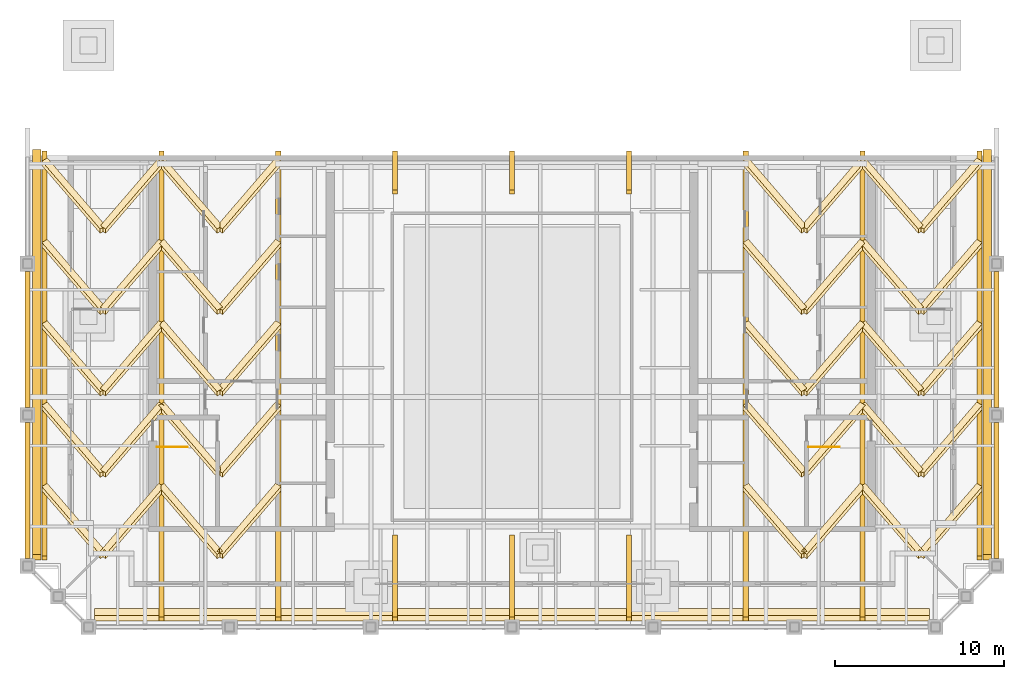
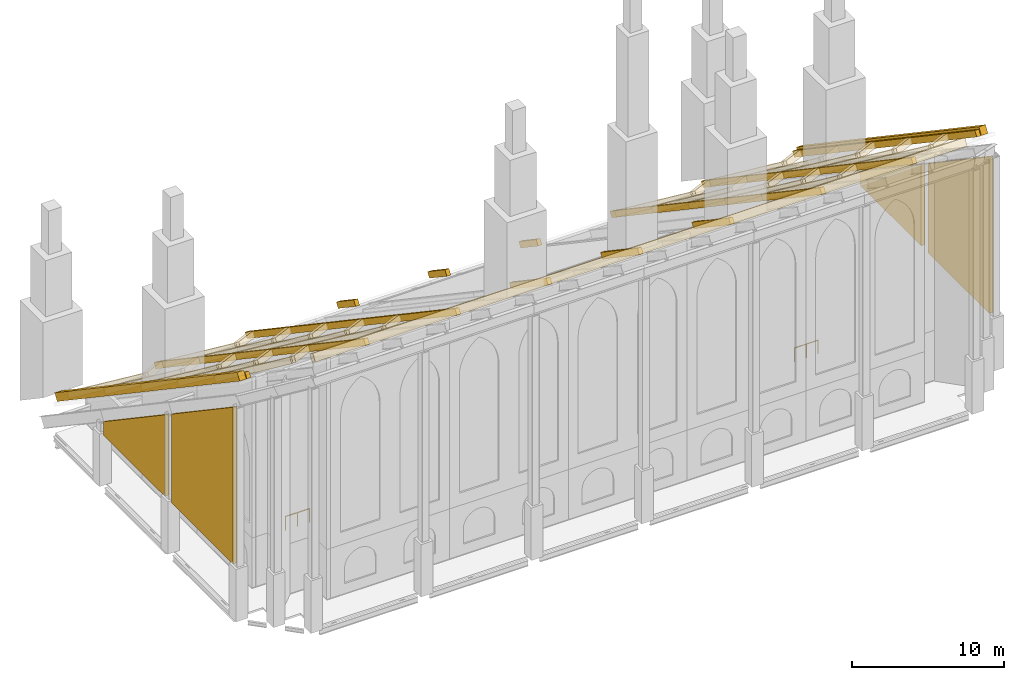
# One storey, part 9 of 9: 59 coverings, 2 railings.
"""IFC4 building model written with IfcOpenShell, lengths in metres."""

from ifc_helpers import new_model, si_unit, direction, frame, origin, origin_2d, place, context, subcontext, project, spatial, polyline, rectangle, circle, outline, extrude, material, layer, layer_set, material_profile, profile_set, type_object, element, save


model = new_model("IFC4")

# Units and contexts
model_context = context("Model", 3, precision=1e-05, world=origin(), true_north=direction((0.0, 1.0)))
body_context = subcontext(model_context, "Body", "Model", "MODEL_VIEW")
ifc_project = project(units=[si_unit("LENGTHUNIT", "METRE"), si_unit("AREAUNIT", "SQUARE_METRE"), si_unit("VOLUMEUNIT", "CUBIC_METRE"), si_unit("PLANEANGLEUNIT", "RADIAN"), si_unit("MASSUNIT", "GRAM", prefix="KILO")], contexts=[model_context])

# Site, building, storey
site_placement = place(None, origin())
site = spatial("IfcSite", under=ifc_project, at=site_placement, CompositionType="ELEMENT")
building_placement = place(site_placement, origin())
building = spatial("IfcBuilding", under=site, at=building_placement, Name="Ogive Exchange Tower", CompositionType="ELEMENT")
storey_placement = place(building_placement, frame((0.0, 0.0, 394.199951171875)))
storey = spatial("IfcBuildingStorey", under=building, at=storey_placement, Name="C07", CompositionType="ELEMENT", Elevation=394.199951171875)

# Coverings
ifc_material_1 = material(Name="Limestone cladding on precast concrete", Category="masonry")
ifc_layer = layer(ifc_material_1, 0.300048828125)
ifc_layer_set = layer_set([ifc_layer], Name="Limestone fascia panel 300")
covering_type_1 = type_object("IfcCoveringType", Name="Limestone fascia panel 300", PredefinedType="CLADDING", material=ifc_layer_set)
covering_1_placement = place(storey_placement, frame((28.5, -4.35009765625, 16.55712890625), z_axis=(-1.0, 0.0, 0.0), x_axis=(0.0, 0.829045541419, -0.559181088963)))
element("IfcCovering", 1, at=covering_1_placement, inside=storey, type_object=covering_type_1, Name="Limestone fascia panel East 1", PredefinedType="CLADDING", context=body_context, shape_type="SweptSolid", body=[
    extrude(outline(polyline([(0.0, 0.0), (9.701774497042106, 8.881784197001252e-16), (13.689898801696078, 5.912819189812571), (7.021709016039859, 10.410431732749794), (0.0, 0.0)])), origin(), (0.0, 0.0, -1.0), 0.300048828125),
])
covering_2_placement = place(storey_placement, frame((28.5, 4.593017578125, 10.525146484375), z_axis=(-1.0, 0.0, 0.0), x_axis=(0.0, 0.829037672639, -0.559192755091)))
element("IfcCovering", 2, at=covering_2_placement, inside=storey, type_object=covering_type_1, Name="Limestone fascia panel East 2", PredefinedType="CLADDING", context=body_context, shape_type="SweptSolid", body=[
    extrude(outline(polyline([(0.0, 0.0), (9.701572094306005, 0.0), (10.316738733573148, 0.9120224006127877), (3.64881463996736, 5.409592255032839), (0.0, 0.0)])), origin(), (0.0, 0.0, -1.0), 0.300048828125),
])
covering_3_placement = place(storey_placement, frame((-28.800048828125, -4.35009765625, 16.55712890625), z_axis=(-1.0, 0.0, 0.0), x_axis=(0.0, 0.829045541419, -0.559181088963)))
element("IfcCovering", 3, at=covering_3_placement, inside=storey, type_object=covering_type_1, Name="Limestone fascia panel West 3", PredefinedType="CLADDING", context=body_context, shape_type="SweptSolid", body=[
    extrude(outline(polyline([(0.0, 0.0), (9.701774497042106, 8.881784197001252e-16), (13.689898801696078, 5.912819189812571), (7.021709016039859, 10.410431732749794), (0.0, 0.0)])), origin(), (0.0, 0.0, -1.0), 0.300048828125),
])
covering_4_placement = place(storey_placement, frame((-28.800048828125, 4.593017578125, 10.525146484375), z_axis=(-1.0, 0.0, 0.0), x_axis=(0.0, 0.829037672639, -0.559192755091)))
element("IfcCovering", 4, at=covering_4_placement, inside=storey, type_object=covering_type_1, Name="Limestone fascia panel West 4", PredefinedType="CLADDING", context=body_context, shape_type="SweptSolid", body=[
    extrude(outline(polyline([(0.0, 0.0), (9.701572094306005, 0.0), (10.316738733573148, 0.9120224006127877), (3.64881463996736, 5.409592255032839), (0.0, 0.0)])), origin(), (0.0, 0.0, -1.0), 0.300048828125),
])

# Railings
ifc_material_2 = material(Name="Stainless steel", Category="steel")
railing_type = type_object("IfcRailingType", Name="Stair guard 1100", PredefinedType="GUARDRAIL", material=ifc_material_2)
for number, where, name in (
    (5, (-21.0, 2.25, 0.0), "C07 ST1 top well guard 1"),
    (6, (17.550048828125, 2.25, 0.0), "C07 ST3 top well guard 1"),
):
    element("IfcRailing", number, at=place(storey_placement, frame(where)), inside=storey, type_object=railing_type, Name=name, PredefinedType="GUARDRAIL", context=body_context, shape_type="SweptSolid", body=[
        extrude(circle(Radius=0.02392578125, at=origin_2d()), frame((0.0, 0.0, 1.076171875), z_axis=(1.0, 0.0, 0.0), x_axis=(0.0, 1.0, 0.0)), (0.0, 0.0, 1.0), 1.800048828125),
        extrude(circle(Radius=0.02099609375, at=origin_2d()), origin(), (0.0, 0.0, 1.0), 1.052001953125),
        extrude(circle(Radius=0.02099609375, at=origin_2d()), frame((0.89990234375, 0.0, 0.0)), (0.0, 0.0, 1.0), 1.052001953125),
        extrude(circle(Radius=0.02099609375, at=origin_2d()), frame((1.800048828125, 0.0, 0.0)), (0.0, 0.0, 1.0), 1.052001953125),
    ])

# Coverings
ifc_material_profile_1 = material_profile(ifc_material_1, rectangle(XDim=0.5, YDim=0.60009765625, at=origin_2d()), Name="CORNICE 500 x 600")
ifc_profile_set_1 = profile_set([ifc_material_profile_1], Name="Limestone cladding on precast concrete")
covering_type_2 = type_object("IfcCoveringType", Name="Stone cornice course 500 x 600", PredefinedType="CLADDING", material=ifc_profile_set_1)
covering_5_placement = place(storey_placement, frame((-24.699951171875, -7.681884765625, 21.093017578125), z_axis=(1.0, 0.0, 0.0), x_axis=(0.0, 0.829037572555, -0.559192903471)))
element("IfcCovering", 7, at=covering_5_placement, inside=storey, type_object=covering_type_2, Name="Stone cornice course", PredefinedType="CLADDING", context=body_context, shape_type="SweptSolid", body=[
    extrude(rectangle(XDim=0.5, YDim=0.60009765625, at=origin_2d()), origin(), (0.0, 0.0, 1.0), 49.39990234375),
])
for number, where, z_axis, x_axis, name in (
    (8, (-28.10009765625, -4.281982421875, 18.799072265625), (0.0, 0.829047066942, -0.559178827206), (-1.0, 0.0, 0.0), "Stone cornice course"),
    (9, (28.10009765625, -4.281982421875, 18.799072265625), (0.0, 0.829047066942, -0.559178827206), (-1.0, 0.0, 0.0), "Stone cornice course"),
):
    element("IfcCovering", number, at=place(storey_placement, frame(where, z_axis=z_axis, x_axis=x_axis)), inside=storey, type_object=covering_type_2, Name=name, PredefinedType="CLADDING", context=body_context, shape_type="SweptSolid", body=[
        extrude(rectangle(XDim=0.5, YDim=0.60009765625, at=origin_2d()), origin(), (0.0, 0.0, 1.0), 28.88134765625),
    ])
ifc_material_profile_2 = material_profile(ifc_material_1, rectangle(XDim=0.300048828125, YDim=0.449951171875, at=origin_2d()), Name="RIB 300 x 450")
ifc_profile_set_2 = profile_set([ifc_material_profile_2], Name="Limestone cladding on precast concrete")
covering_type_3 = type_object("IfcCoveringType", Name="Stone roof rib 300 x 450", PredefinedType="CLADDING", material=ifc_profile_set_2)
covering_6_placement = place(storey_placement, frame((-27.64990234375, 19.6201171875, 2.587158203125), z_axis=(0.0, -0.829047066942, 0.559178827206), x_axis=(1.0, 0.0, 0.0)))
element("IfcCovering", 10, at=covering_6_placement, inside=storey, type_object=covering_type_3, Name="Stone roof rib", PredefinedType="CLADDING", context=body_context, shape_type="SweptSolid", body=[
    extrude(rectangle(XDim=0.300048828125, YDim=0.449951171875, at=origin_2d()), origin(), (0.0, 0.0, 1.0), 28.88134765625),
])
for number, where, z_axis, x_axis, name in (
    (11, (-20.737060546875, 19.6201171875, 2.587158203125), (0.0, -0.829050263381, 0.559174088086), (1.0, 0.0, 0.0), "Stone roof rib"),
    (12, (-13.824951171875, 19.6201171875, 2.587158203125), (0.0, -0.829050263381, 0.559174088086), (1.0, 0.0, 0.0), "Stone roof rib"),
):
    element("IfcCovering", number, at=place(storey_placement, frame(where, z_axis=z_axis, x_axis=x_axis)), inside=storey, type_object=covering_type_3, Name=name, PredefinedType="CLADDING", context=body_context, shape_type="SweptSolid", body=[
        extrude(rectangle(XDim=0.300048828125, YDim=0.449951171875, at=origin_2d()), origin(), (0.0, 0.0, 1.0), 33.223876953125),
    ])
covering_7_placement = place(storey_placement, frame((-6.9130859375, -3.073974609375, 17.89404296875), z_axis=(0.0, -0.829072128826, 0.559141668278), x_axis=(1.0, 0.0, 0.0)))
element("IfcCovering", 13, at=covering_7_placement, inside=storey, type_object=covering_type_3, Name="Stone roof rib", PredefinedType="CLADDING", context=body_context, shape_type="SweptSolid", body=[
    extrude(rectangle(XDim=0.300048828125, YDim=0.449951171875, at=origin_2d()), origin(), (0.0, 0.0, 1.0), 5.85009765625),
])
covering_8_placement = place(storey_placement, frame((-6.9130859375, 19.6201171875, 2.587158203125), z_axis=(0.0, -0.829133953088, 0.559049986886), x_axis=(1.0, 0.0, 0.0)))
element("IfcCovering", 14, at=covering_8_placement, inside=storey, type_object=covering_type_3, Name="Stone roof rib", PredefinedType="CLADDING", context=body_context, shape_type="SweptSolid", body=[
    extrude(rectangle(XDim=0.300048828125, YDim=0.449951171875, at=origin_2d()), origin(), (0.0, 0.0, 1.0), 2.76708984375),
])
covering_9_placement = place(storey_placement, frame((0.0, -3.073974609375, 17.89404296875), z_axis=(0.0, -0.829072128826, 0.559141668278), x_axis=(1.0, 0.0, 0.0)))
element("IfcCovering", 15, at=covering_9_placement, inside=storey, type_object=covering_type_3, Name="Stone roof rib", PredefinedType="CLADDING", context=body_context, shape_type="SweptSolid", body=[
    extrude(rectangle(XDim=0.300048828125, YDim=0.449951171875, at=origin_2d()), origin(), (0.0, 0.0, 1.0), 5.85009765625),
])
covering_10_placement = place(storey_placement, frame((0.0, 19.6201171875, 2.587158203125), z_axis=(0.0, -0.829133953088, 0.559049986886), x_axis=(1.0, 0.0, 0.0)))
element("IfcCovering", 16, at=covering_10_placement, inside=storey, type_object=covering_type_3, Name="Stone roof rib", PredefinedType="CLADDING", context=body_context, shape_type="SweptSolid", body=[
    extrude(rectangle(XDim=0.300048828125, YDim=0.449951171875, at=origin_2d()), origin(), (0.0, 0.0, 1.0), 2.76708984375),
])
covering_11_placement = place(storey_placement, frame((6.9130859375, -3.073974609375, 17.89404296875), z_axis=(0.0, -0.829072128826, 0.559141668278), x_axis=(1.0, 0.0, 0.0)))
element("IfcCovering", 17, at=covering_11_placement, inside=storey, type_object=covering_type_3, Name="Stone roof rib", PredefinedType="CLADDING", context=body_context, shape_type="SweptSolid", body=[
    extrude(rectangle(XDim=0.300048828125, YDim=0.449951171875, at=origin_2d()), origin(), (0.0, 0.0, 1.0), 5.85009765625),
])
covering_12_placement = place(storey_placement, frame((6.9130859375, 19.6201171875, 2.587158203125), z_axis=(0.0, -0.829133953088, 0.559049986886), x_axis=(1.0, 0.0, 0.0)))
element("IfcCovering", 18, at=covering_12_placement, inside=storey, type_object=covering_type_3, Name="Stone roof rib", PredefinedType="CLADDING", context=body_context, shape_type="SweptSolid", body=[
    extrude(rectangle(XDim=0.300048828125, YDim=0.449951171875, at=origin_2d()), origin(), (0.0, 0.0, 1.0), 2.76708984375),
])
for number, where, z_axis, x_axis, name in (
    (19, (13.824951171875, 19.6201171875, 2.587158203125), (0.0, -0.829050263381, 0.559174088086), (1.0, 0.0, 0.0), "Stone roof rib"),
    (20, (20.737060546875, 19.6201171875, 2.587158203125), (0.0, -0.829050263381, 0.559174088086), (1.0, 0.0, 0.0), "Stone roof rib"),
):
    element("IfcCovering", number, at=place(storey_placement, frame(where, z_axis=z_axis, x_axis=x_axis)), inside=storey, type_object=covering_type_3, Name=name, PredefinedType="CLADDING", context=body_context, shape_type="SweptSolid", body=[
        extrude(rectangle(XDim=0.300048828125, YDim=0.449951171875, at=origin_2d()), origin(), (0.0, 0.0, 1.0), 33.223876953125),
    ])
covering_13_placement = place(storey_placement, frame((27.64990234375, 19.6201171875, 2.587158203125), z_axis=(0.0, -0.829047066942, 0.559178827206), x_axis=(1.0, 0.0, 0.0)))
element("IfcCovering", 21, at=covering_13_placement, inside=storey, type_object=covering_type_3, Name="Stone roof rib", PredefinedType="CLADDING", context=body_context, shape_type="SweptSolid", body=[
    extrude(rectangle(XDim=0.300048828125, YDim=0.449951171875, at=origin_2d()), origin(), (0.0, 0.0, 1.0), 28.88134765625),
])
ifc_material_profile_3 = material_profile(ifc_material_1, rectangle(XDim=0.39990234375, YDim=0.449951171875, at=origin_2d()), Name="TRACERY 400 x 450")
ifc_profile_set_3 = profile_set([ifc_material_profile_3], Name="Limestone cladding on precast concrete")
covering_type_4 = type_object("IfcCoveringType", Name="Stone tracery arch 400 x 450", PredefinedType="CLADDING", material=ifc_profile_set_3)
covering_14_placement = place(storey_placement, frame((-27.64990234375, 19.1201171875, 2.924072265625), z_axis=(0.581131436784, -0.674695445575, 0.455051984834), x_axis=(0.81380971314, 0.481748315801, -0.32501124753)))
element("IfcCovering", 22, at=covering_14_placement, inside=storey, type_object=covering_type_4, Name="Stone tracery arch", PredefinedType="CLADDING", context=body_context, shape_type="SweptSolid", body=[
    extrude(rectangle(XDim=0.39990234375, YDim=0.449951171875, at=origin_2d()), origin(), (0.0, 0.0, 1.0), 5.94677734375),
])
covering_15_placement = place(storey_placement, frame((-20.737060546875, 19.1201171875, 2.924072265625), z_axis=(-0.581267362782, -0.674614960449, 0.454997701206), x_axis=(0.813712635371, -0.481905441904, 0.325021371761)))
element("IfcCovering", 23, at=covering_15_placement, inside=storey, type_object=covering_type_4, Name="Stone tracery arch", PredefinedType="CLADDING", context=body_context, shape_type="SweptSolid", body=[
    extrude(rectangle(XDim=0.39990234375, YDim=0.449951171875, at=origin_2d()), origin(), (0.0, 0.0, 1.0), 5.947509765625),
])
covering_16_placement = place(storey_placement, frame((-27.64990234375, 14.30908203125, 6.1689453125), z_axis=(0.581147534027, -0.674673078535, 0.455064589696), x_axis=(0.813798219588, 0.481769317244, -0.325008896428)))
element("IfcCovering", 24, at=covering_16_placement, inside=storey, type_object=covering_type_4, Name="Stone tracery arch", PredefinedType="CLADDING", context=body_context, shape_type="SweptSolid", body=[
    extrude(rectangle(XDim=0.39990234375, YDim=0.449951171875, at=origin_2d()), origin(), (0.0, 0.0, 1.0), 5.946533203125),
])
covering_17_placement = place(storey_placement, frame((-20.737060546875, 14.30908203125, 6.1689453125), z_axis=(-0.581283459948, -0.674592591619, 0.455010301558), x_axis=(0.813701135867, -0.481926443477, 0.325019021853)))
element("IfcCovering", 25, at=covering_17_placement, inside=storey, type_object=covering_type_4, Name="Stone tracery arch", PredefinedType="CLADDING", context=body_context, shape_type="SweptSolid", body=[
    extrude(rectangle(XDim=0.39990234375, YDim=0.449951171875, at=origin_2d()), origin(), (0.0, 0.0, 1.0), 5.947265625),
])
covering_18_placement = place(storey_placement, frame((-27.64990234375, 9.4970703125, 9.4150390625), z_axis=(0.581147534027, -0.674673078535, 0.455064589696), x_axis=(0.813798219588, 0.481769317244, -0.325008896428)))
element("IfcCovering", 26, at=covering_18_placement, inside=storey, type_object=covering_type_4, Name="Stone tracery arch", PredefinedType="CLADDING", context=body_context, shape_type="SweptSolid", body=[
    extrude(rectangle(XDim=0.39990234375, YDim=0.449951171875, at=origin_2d()), origin(), (0.0, 0.0, 1.0), 5.946533203125),
])
covering_19_placement = place(storey_placement, frame((-20.737060546875, 9.4970703125, 9.4150390625), z_axis=(-0.581283459948, -0.674592591619, 0.455010301558), x_axis=(0.813701135867, -0.481926443477, 0.325019021853)))
element("IfcCovering", 27, at=covering_19_placement, inside=storey, type_object=covering_type_4, Name="Stone tracery arch", PredefinedType="CLADDING", context=body_context, shape_type="SweptSolid", body=[
    extrude(rectangle(XDim=0.39990234375, YDim=0.449951171875, at=origin_2d()), origin(), (0.0, 0.0, 1.0), 5.947265625),
])
covering_20_placement = place(storey_placement, frame((-27.64990234375, 4.68603515625, 12.66015625), z_axis=(0.581158391494, -0.674685683322, 0.455032034824), x_axis=(0.813790464793, 0.481778320038, -0.325014968507)))
element("IfcCovering", 28, at=covering_20_placement, inside=storey, type_object=covering_type_4, Name="Stone tracery arch", PredefinedType="CLADDING", context=body_context, shape_type="SweptSolid", body=[
    extrude(rectangle(XDim=0.39990234375, YDim=0.449951171875, at=origin_2d()), origin(), (0.0, 0.0, 1.0), 5.946533203125),
])
for number, where, z_axis, x_axis, name in (
    (29, (-20.737060546875, 4.68603515625, 12.66015625), (-0.581294317364, -0.674605191896, 0.454977748541), (0.813693379942, -0.481935444404, 0.325025092672), "Stone tracery arch"),
    (30, (-27.64990234375, -0.1259765625, 15.905029296875), (0.581104100447, -0.674622655079, 0.45519479094), (0.813829234424, 0.481733311112, -0.324984606039), "Stone tracery arch"),
):
    element("IfcCovering", number, at=place(storey_placement, frame(where, z_axis=z_axis, x_axis=x_axis)), inside=storey, type_object=covering_type_4, Name=name, PredefinedType="CLADDING", context=body_context, shape_type="SweptSolid", body=[
        extrude(rectangle(XDim=0.39990234375, YDim=0.449951171875, at=origin_2d()), origin(), (0.0, 0.0, 1.0), 5.947021484375),
    ])
covering_21_placement = place(storey_placement, frame((-20.737060546875, -0.1259765625, 15.905029296875), z_axis=(-0.581240026573, -0.674542186206, 0.455140495384), x_axis=(0.813732155223, -0.481890444814, 0.324994736502)))
element("IfcCovering", 31, at=covering_21_placement, inside=storey, type_object=covering_type_4, Name="Stone tracery arch", PredefinedType="CLADDING", context=body_context, shape_type="SweptSolid", body=[
    extrude(rectangle(XDim=0.39990234375, YDim=0.449951171875, at=origin_2d()), origin(), (0.0, 0.0, 1.0), 5.94775390625),
])
for number, where, z_axis, x_axis, name in (
    (32, (-20.737060546875, 19.1201171875, 2.924072265625), (0.581158625876, -0.67467934852, 0.455041128088), (0.813790299216, 0.481799265186, -0.32498433342), "Stone tracery arch"),
    (33, (-13.824951171875, 19.1201171875, 2.924072265625), (-0.581158625876, -0.67467934852, 0.455041128088), (0.813790299216, -0.481799265186, 0.32498433342), "Stone tracery arch"),
    (34, (-20.737060546875, 14.30908203125, 6.1689453125), (0.581174723103, -0.674656981121, 0.455053732048), (0.813778803618, 0.481820266966, -0.324981982766), "Stone tracery arch"),
    (35, (-13.824951171875, 14.30908203125, 6.1689453125), (-0.581174723103, -0.674656981121, 0.455053732048), (0.813778803618, -0.481820266966, 0.324981982766), "Stone tracery arch"),
    (36, (-20.737060546875, 9.4970703125, 9.4150390625), (0.581174723103, -0.674656981121, 0.455053732048), (0.813778803618, 0.481820266966, -0.324981982766), "Stone tracery arch"),
    (37, (-13.824951171875, 9.4970703125, 9.4150390625), (-0.581174723103, -0.674656981121, 0.455053732048), (0.813778803618, -0.481820266966, 0.324981982766), "Stone tracery arch"),
):
    element("IfcCovering", number, at=place(storey_placement, frame(where, z_axis=z_axis, x_axis=x_axis)), inside=storey, type_object=covering_type_4, Name=name, PredefinedType="CLADDING", context=body_context, shape_type="SweptSolid", body=[
        extrude(rectangle(XDim=0.39990234375, YDim=0.449951171875, at=origin_2d()), origin(), (0.0, 0.0, 1.0), 5.94677734375),
    ])
for number, where, z_axis, x_axis, name in (
    (38, (-20.737060546875, 4.68603515625, 12.66015625), (0.58118558056, -0.674669585006, 0.455021177547), (0.813771049287, 0.481829268585, -0.324988054052), "Stone tracery arch"),
    (39, (-13.824951171875, 4.68603515625, 12.66015625), (-0.58118558056, -0.674669585006, 0.455021177547), (0.813771049287, -0.481829268585, 0.324988054052), "Stone tracery arch"),
):
    element("IfcCovering", number, at=place(storey_placement, frame(where, z_axis=z_axis, x_axis=x_axis)), inside=storey, type_object=covering_type_4, Name=name, PredefinedType="CLADDING", context=body_context, shape_type="SweptSolid", body=[
        extrude(rectangle(XDim=0.39990234375, YDim=0.449951171875, at=origin_2d()), origin(), (0.0, 0.0, 1.0), 5.946533203125),
    ])
for number, where, z_axis, x_axis, name in (
    (40, (-20.737060546875, -0.1259765625, 15.905029296875), (0.581131289563, -0.674606561274, 0.455183931808), (0.813809816597, 0.481784265534, -0.324957695547), "Stone tracery arch"),
    (41, (-13.824951171875, -0.1259765625, 15.905029296875), (-0.581131289563, -0.674606561274, 0.455183931808), (0.813809816597, -0.481784265534, 0.324957695547), "Stone tracery arch"),
):
    element("IfcCovering", number, at=place(storey_placement, frame(where, z_axis=z_axis, x_axis=x_axis)), inside=storey, type_object=covering_type_4, Name=name, PredefinedType="CLADDING", context=body_context, shape_type="SweptSolid", body=[
        extrude(rectangle(XDim=0.39990234375, YDim=0.449951171875, at=origin_2d()), origin(), (0.0, 0.0, 1.0), 5.947021484375),
    ])
for number, where, z_axis, x_axis, name in (
    (42, (13.824951171875, 19.1201171875, 2.924072265625), (0.581158625876, -0.67467934852, 0.455041128088), (0.813790299216, 0.481799265186, -0.32498433342), "Stone tracery arch"),
    (43, (20.737060546875, 19.1201171875, 2.924072265625), (-0.581158625876, -0.67467934852, 0.455041128088), (0.813790299216, -0.481799265186, 0.32498433342), "Stone tracery arch"),
    (44, (13.824951171875, 14.30908203125, 6.1689453125), (0.581174723103, -0.674656981121, 0.455053732048), (0.813778803618, 0.481820266966, -0.324981982766), "Stone tracery arch"),
    (45, (20.737060546875, 14.30908203125, 6.1689453125), (-0.581174723103, -0.674656981121, 0.455053732048), (0.813778803618, -0.481820266966, 0.324981982766), "Stone tracery arch"),
    (46, (13.824951171875, 9.4970703125, 9.4150390625), (0.581174723103, -0.674656981121, 0.455053732048), (0.813778803618, 0.481820266966, -0.324981982766), "Stone tracery arch"),
    (47, (20.737060546875, 9.4970703125, 9.4150390625), (-0.581174723103, -0.674656981121, 0.455053732048), (0.813778803618, -0.481820266966, 0.324981982766), "Stone tracery arch"),
):
    element("IfcCovering", number, at=place(storey_placement, frame(where, z_axis=z_axis, x_axis=x_axis)), inside=storey, type_object=covering_type_4, Name=name, PredefinedType="CLADDING", context=body_context, shape_type="SweptSolid", body=[
        extrude(rectangle(XDim=0.39990234375, YDim=0.449951171875, at=origin_2d()), origin(), (0.0, 0.0, 1.0), 5.94677734375),
    ])
for number, where, z_axis, x_axis, name in (
    (48, (13.824951171875, 4.68603515625, 12.66015625), (0.58118558056, -0.674669585006, 0.455021177547), (0.813771049287, 0.481829268585, -0.324988054052), "Stone tracery arch"),
    (49, (20.737060546875, 4.68603515625, 12.66015625), (-0.58118558056, -0.674669585006, 0.455021177547), (0.813771049287, -0.481829268585, 0.324988054052), "Stone tracery arch"),
):
    element("IfcCovering", number, at=place(storey_placement, frame(where, z_axis=z_axis, x_axis=x_axis)), inside=storey, type_object=covering_type_4, Name=name, PredefinedType="CLADDING", context=body_context, shape_type="SweptSolid", body=[
        extrude(rectangle(XDim=0.39990234375, YDim=0.449951171875, at=origin_2d()), origin(), (0.0, 0.0, 1.0), 5.946533203125),
    ])
for number, where, z_axis, x_axis, name in (
    (50, (13.824951171875, -0.1259765625, 15.905029296875), (0.581131289563, -0.674606561274, 0.455183931808), (0.813809816597, 0.481784265534, -0.324957695547), "Stone tracery arch"),
    (51, (20.737060546875, -0.1259765625, 15.905029296875), (-0.581131289563, -0.674606561274, 0.455183931808), (0.813809816597, -0.481784265534, 0.324957695547), "Stone tracery arch"),
):
    element("IfcCovering", number, at=place(storey_placement, frame(where, z_axis=z_axis, x_axis=x_axis)), inside=storey, type_object=covering_type_4, Name=name, PredefinedType="CLADDING", context=body_context, shape_type="SweptSolid", body=[
        extrude(rectangle(XDim=0.39990234375, YDim=0.449951171875, at=origin_2d()), origin(), (0.0, 0.0, 1.0), 5.947021484375),
    ])
covering_22_placement = place(storey_placement, frame((20.737060546875, 19.1201171875, 2.924072265625), z_axis=(0.581267362782, -0.674614960449, 0.454997701206), x_axis=(0.813712635371, 0.481905441904, -0.325021371761)))
element("IfcCovering", 52, at=covering_22_placement, inside=storey, type_object=covering_type_4, Name="Stone tracery arch", PredefinedType="CLADDING", context=body_context, shape_type="SweptSolid", body=[
    extrude(rectangle(XDim=0.39990234375, YDim=0.449951171875, at=origin_2d()), origin(), (0.0, 0.0, 1.0), 5.947509765625),
])
covering_23_placement = place(storey_placement, frame((27.64990234375, 19.1201171875, 2.924072265625), z_axis=(-0.581131436784, -0.674695445575, 0.455051984834), x_axis=(0.81380971314, -0.481748315801, 0.32501124753)))
element("IfcCovering", 53, at=covering_23_placement, inside=storey, type_object=covering_type_4, Name="Stone tracery arch", PredefinedType="CLADDING", context=body_context, shape_type="SweptSolid", body=[
    extrude(rectangle(XDim=0.39990234375, YDim=0.449951171875, at=origin_2d()), origin(), (0.0, 0.0, 1.0), 5.94677734375),
])
covering_24_placement = place(storey_placement, frame((20.737060546875, 14.30908203125, 6.1689453125), z_axis=(0.581283459948, -0.674592591619, 0.455010301558), x_axis=(0.813701135867, 0.481926443477, -0.325019021853)))
element("IfcCovering", 54, at=covering_24_placement, inside=storey, type_object=covering_type_4, Name="Stone tracery arch", PredefinedType="CLADDING", context=body_context, shape_type="SweptSolid", body=[
    extrude(rectangle(XDim=0.39990234375, YDim=0.449951171875, at=origin_2d()), origin(), (0.0, 0.0, 1.0), 5.947265625),
])
covering_25_placement = place(storey_placement, frame((27.64990234375, 14.30908203125, 6.1689453125), z_axis=(-0.581147534027, -0.674673078535, 0.455064589696), x_axis=(0.813798219588, -0.481769317244, 0.325008896428)))
element("IfcCovering", 55, at=covering_25_placement, inside=storey, type_object=covering_type_4, Name="Stone tracery arch", PredefinedType="CLADDING", context=body_context, shape_type="SweptSolid", body=[
    extrude(rectangle(XDim=0.39990234375, YDim=0.449951171875, at=origin_2d()), origin(), (0.0, 0.0, 1.0), 5.946533203125),
])
covering_26_placement = place(storey_placement, frame((20.737060546875, 9.4970703125, 9.4150390625), z_axis=(0.581283459948, -0.674592591619, 0.455010301558), x_axis=(0.813701135867, 0.481926443477, -0.325019021853)))
element("IfcCovering", 56, at=covering_26_placement, inside=storey, type_object=covering_type_4, Name="Stone tracery arch", PredefinedType="CLADDING", context=body_context, shape_type="SweptSolid", body=[
    extrude(rectangle(XDim=0.39990234375, YDim=0.449951171875, at=origin_2d()), origin(), (0.0, 0.0, 1.0), 5.947265625),
])
covering_27_placement = place(storey_placement, frame((27.64990234375, 9.4970703125, 9.4150390625), z_axis=(-0.581147534027, -0.674673078535, 0.455064589696), x_axis=(0.813798219588, -0.481769317244, 0.325008896428)))
element("IfcCovering", 57, at=covering_27_placement, inside=storey, type_object=covering_type_4, Name="Stone tracery arch", PredefinedType="CLADDING", context=body_context, shape_type="SweptSolid", body=[
    extrude(rectangle(XDim=0.39990234375, YDim=0.449951171875, at=origin_2d()), origin(), (0.0, 0.0, 1.0), 5.946533203125),
])
covering_28_placement = place(storey_placement, frame((20.737060546875, 4.68603515625, 12.66015625), z_axis=(0.581294317364, -0.674605191896, 0.454977748541), x_axis=(0.813693379942, 0.481935444404, -0.325025092672)))
element("IfcCovering", 58, at=covering_28_placement, inside=storey, type_object=covering_type_4, Name="Stone tracery arch", PredefinedType="CLADDING", context=body_context, shape_type="SweptSolid", body=[
    extrude(rectangle(XDim=0.39990234375, YDim=0.449951171875, at=origin_2d()), origin(), (0.0, 0.0, 1.0), 5.947021484375),
])
covering_29_placement = place(storey_placement, frame((27.64990234375, 4.68603515625, 12.66015625), z_axis=(-0.581158391494, -0.674685683322, 0.455032034824), x_axis=(0.813790464793, -0.481778320038, 0.325014968507)))
element("IfcCovering", 59, at=covering_29_placement, inside=storey, type_object=covering_type_4, Name="Stone tracery arch", PredefinedType="CLADDING", context=body_context, shape_type="SweptSolid", body=[
    extrude(rectangle(XDim=0.39990234375, YDim=0.449951171875, at=origin_2d()), origin(), (0.0, 0.0, 1.0), 5.946533203125),
])
covering_30_placement = place(storey_placement, frame((20.737060546875, -0.1259765625, 15.905029296875), z_axis=(0.581240026573, -0.674542186206, 0.455140495384), x_axis=(0.813732155223, 0.481890444814, -0.324994736502)))
element("IfcCovering", 60, at=covering_30_placement, inside=storey, type_object=covering_type_4, Name="Stone tracery arch", PredefinedType="CLADDING", context=body_context, shape_type="SweptSolid", body=[
    extrude(rectangle(XDim=0.39990234375, YDim=0.449951171875, at=origin_2d()), origin(), (0.0, 0.0, 1.0), 5.94775390625),
])
covering_31_placement = place(storey_placement, frame((27.64990234375, -0.1259765625, 15.905029296875), z_axis=(-0.581104100447, -0.674622655079, 0.45519479094), x_axis=(0.813829234424, -0.481733311112, 0.324984606039)))
element("IfcCovering", 61, at=covering_31_placement, inside=storey, type_object=covering_type_4, Name="Stone tracery arch", PredefinedType="CLADDING", context=body_context, shape_type="SweptSolid", body=[
    extrude(rectangle(XDim=0.39990234375, YDim=0.449951171875, at=origin_2d()), origin(), (0.0, 0.0, 1.0), 5.947021484375),
])

save(model, "model.ifc")
